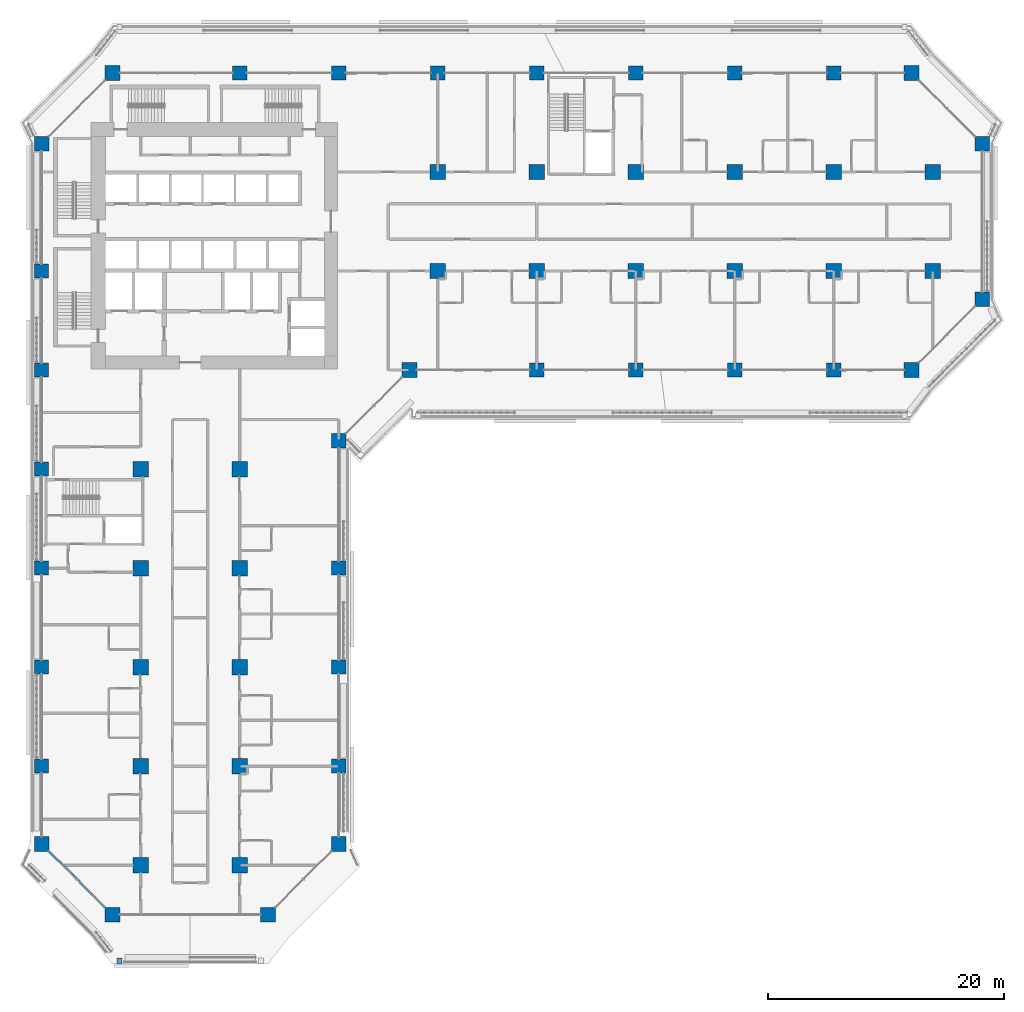
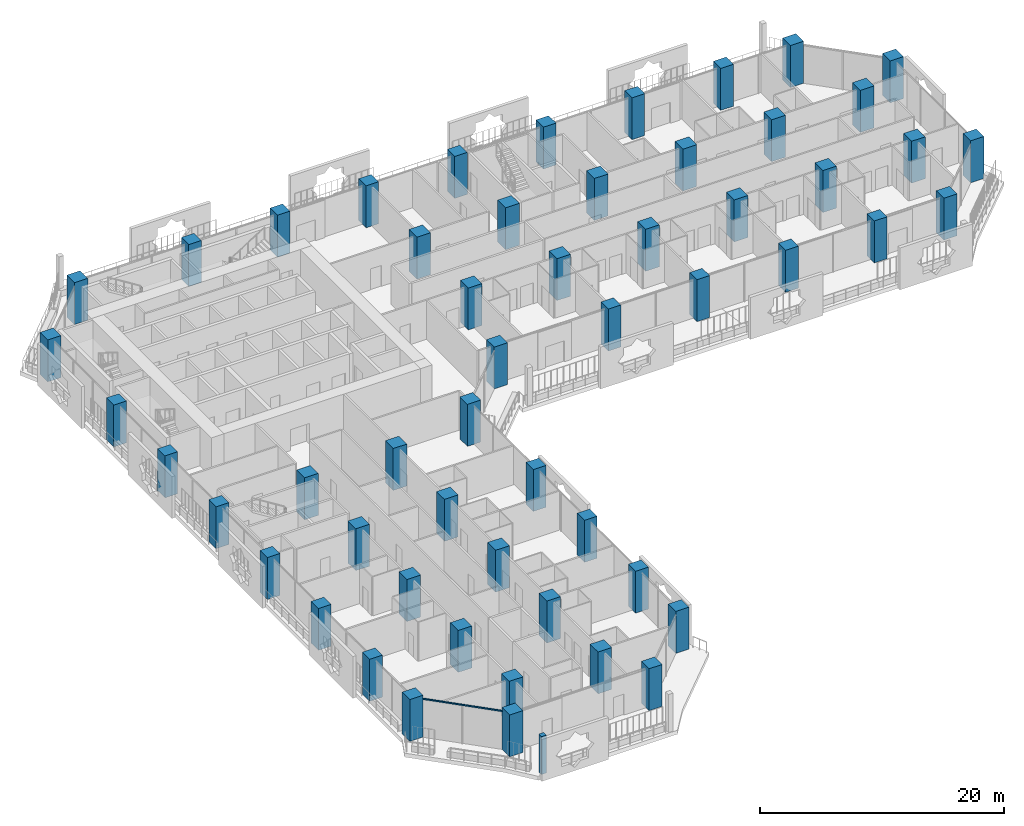
# One storey, part 1 of 29: 54 columns, 2 members, 2 elements without a shape of their own.
"""IFC4 building model written with IfcOpenShell, lengths in metres."""

from ifc_helpers import new_model, si_unit, direction, frame, origin, origin_2d, place, context, subcontext, project, spatial, rectangle, extrude, material, layer, layer_set, material_profile, profile_set, type_object, element, aggregate, save


model = new_model("IFC4")

# Units and contexts
model_context = context("Model", 3, precision=1e-05, world=origin(), true_north=direction((0.0, 1.0)))
body_context = subcontext(model_context, "Body", "Model", "MODEL_VIEW")
ifc_project = project(units=[si_unit("LENGTHUNIT", "METRE"), si_unit("AREAUNIT", "SQUARE_METRE"), si_unit("VOLUMEUNIT", "CUBIC_METRE"), si_unit("PLANEANGLEUNIT", "RADIAN"), si_unit("MASSUNIT", "GRAM", prefix="KILO")], contexts=[model_context])

# Site, building, storey
site_placement = place(None, origin())
site = spatial("IfcSite", under=ifc_project, at=site_placement, CompositionType="ELEMENT")
building_placement = place(site_placement, origin())
building = spatial("IfcBuilding", under=site, at=building_placement, Name="Kawkab Arch Medical Tower", CompositionType="ELEMENT")
storey_placement = place(building_placement, frame((0.0, 0.0, 60.199951171875)))
storey = spatial("IfcBuildingStorey", under=building, at=storey_placement, Name="L13", CompositionType="ELEMENT", Elevation=60.199951171875)

# Columns
ifc_material_1 = material(Name="Concrete C60/75", Category="concrete")
ifc_material_profile_1 = material_profile(ifc_material_1, rectangle(XDim=1.199951171875, YDim=1.199951171875, at=origin_2d()), Name="RC 1200x1200")
ifc_profile_set_1 = profile_set([ifc_material_profile_1], Name="Concrete C60/75")
column_type_1 = type_object("IfcColumnType", Name="RC 1200x1200 column C60/75", PredefinedType="COLUMN", material=ifc_profile_set_1)
for number, where, z_axis, x_axis, name in (
    (1, (16.800048828125, 0.0, 0.0), (0.0, 0.0, 1.0), (1.0, 0.0, 0.0), "Column RC 1200x1200"),
    (2, (25.199951171875, 0.0, 0.0), (0.0, 0.0, 1.0), (1.0, 0.0, 0.0), "Column RC 1200x1200"),
    (3, (33.60009765625, 0.0, 0.0), (0.0, 0.0, 1.0), (1.0, 0.0, 0.0), "Column RC 1200x1200"),
    (4, (42.0, 0.0, 0.0), (0.0, 0.0, 1.0), (1.0, 0.0, 0.0), "Column RC 1200x1200"),
    (5, (50.39990234375, 0.0, 0.0), (0.0, 0.0, 1.0), (1.0, 0.0, 0.0), "Column RC 1200x1200"),
    (6, (58.800048828125, 0.0, 0.0), (0.0, 0.0, 1.0), (1.0, 0.0, 0.0), "Column RC 1200x1200"),
    (7, (67.199951171875, 0.0, 0.0), (0.0, 0.0, 1.0), (1.0, 0.0, 0.0), "Column RC 1200x1200"),
    (8, (0.0, -16.800048828125, 0.0), (0.0, 0.0, 1.0), (1.0, 0.0, 0.0), "Column RC 1200x1200"),
    (9, (0.0, -25.199951171875, 0.0), (0.0, 0.0, 1.0), (1.0, 0.0, 0.0), "Column RC 1200x1200"),
    (10, (42.0, -25.199951171875, 0.0), (0.0, 0.0, 1.0), (1.0, 0.0, 0.0), "Column RC 1200x1200"),
    (11, (50.39990234375, -25.199951171875, 0.0), (0.0, 0.0, 1.0), (1.0, 0.0, 0.0), "Column RC 1200x1200"),
    (12, (58.800048828125, -25.199951171875, 0.0), (0.0, 0.0, 1.0), (1.0, 0.0, 0.0), "Column RC 1200x1200"),
    (13, (67.199951171875, -25.199951171875, 0.0), (0.0, 0.0, 1.0), (1.0, 0.0, 0.0), "Column RC 1200x1200"),
    (14, (0.0, -33.60009765625, 0.0), (0.0, 0.0, 1.0), (1.0, 0.0, 0.0), "Column RC 1200x1200"),
    (15, (0.0, -42.0, 0.0), (0.0, 0.0, 1.0), (1.0, 0.0, 0.0), "Column RC 1200x1200"),
    (16, (25.199951171875, -42.0, 0.0), (0.0, 0.0, 1.0), (1.0, 0.0, 0.0), "Column RC 1200x1200"),
    (17, (0.0, -50.39990234375, 0.0), (0.0, 0.0, 1.0), (1.0, 0.0, 0.0), "Column RC 1200x1200"),
    (18, (25.199951171875, -50.39990234375, 0.0), (0.0, 0.0, 1.0), (1.0, 0.0, 0.0), "Column RC 1200x1200"),
    (19, (0.0, -58.800048828125, 0.0), (0.0, 0.0, 1.0), (1.0, 0.0, 0.0), "Column RC 1200x1200"),
    (20, (25.199951171875, -58.800048828125, 0.0), (0.0, 0.0, 1.0), (1.0, 0.0, 0.0), "Column RC 1200x1200"),
):
    element("IfcColumn", number, at=place(storey_placement, frame(where, z_axis=z_axis, x_axis=x_axis)), inside=storey, type_object=column_type_1, Name=name, PredefinedType="COLUMN", context=body_context, shape_type="SweptSolid", body=[
        extrude(rectangle(XDim=1.199951171875, YDim=1.199951171875, at=origin_2d()), origin(), (0.0, 0.0, 1.0), 4.199951171875),
    ])
ifc_material_2 = material(Name="Concrete C60/75", Category="concrete")
ifc_material_profile_2 = material_profile(ifc_material_2, rectangle(XDim=1.25, YDim=1.25, at=origin_2d()), Name="RC 1250x1250")
ifc_profile_set_2 = profile_set([ifc_material_profile_2], Name="Concrete C60/75")
column_type_2 = type_object("IfcColumnType", Name="RC 1250x1250 column C60/75", PredefinedType="COLUMN", material=ifc_profile_set_2)
for number, where, z_axis, x_axis, name in (
    (21, (6.0, 0.0, 0.0), (0.0, 0.0, 1.0), (1.0, 0.0, 0.0), "Column RC 1250x1250"),
    (22, (73.800048828125, 0.0, 0.0), (0.0, 0.0, 1.0), (1.0, 0.0, 0.0), "Column RC 1250x1250"),
    (23, (0.0, -6.0, 0.0), (0.0, 0.0, 1.0), (1.0, 0.0, 0.0), "Column RC 1250x1250"),
    (24, (79.800048828125, -6.0, 0.0), (0.0, 0.0, 1.0), (1.0, 0.0, 0.0), "Column RC 1250x1250"),
    (25, (79.800048828125, -19.199951171875, 0.0), (0.0, 0.0, 1.0), (1.0, 0.0, 0.0), "Column RC 1250x1250"),
    (26, (31.199951171875, -25.199951171875, 0.0), (0.0, 0.0, 1.0), (1.0, 0.0, 0.0), "Column RC 1250x1250"),
    (27, (73.800048828125, -25.199951171875, 0.0), (0.0, 0.0, 1.0), (1.0, 0.0, 0.0), "Column RC 1250x1250"),
    (28, (25.199951171875, -31.199951171875, 0.0), (0.0, 0.0, 1.0), (1.0, 0.0, 0.0), "Column RC 1250x1250"),
    (29, (0.0, -65.39990234375, 0.0), (0.0, 0.0, 1.0), (1.0, 0.0, 0.0), "Column RC 1250x1250"),
    (30, (25.199951171875, -65.39990234375, 0.0), (0.0, 0.0, 1.0), (1.0, 0.0, 0.0), "Column RC 1250x1250"),
    (31, (6.0, -71.39990234375, 0.0), (0.0, 0.0, 1.0), (1.0, 0.0, 0.0), "Column RC 1250x1250"),
    (32, (19.199951171875, -71.39990234375, 0.0), (0.0, 0.0, 1.0), (1.0, 0.0, 0.0), "Column RC 1250x1250"),
):
    element("IfcColumn", number, at=place(storey_placement, frame(where, z_axis=z_axis, x_axis=x_axis)), inside=storey, type_object=column_type_2, Name=name, PredefinedType="COLUMN", context=body_context, shape_type="SweptSolid", body=[
        extrude(rectangle(XDim=1.25, YDim=1.25, at=origin_2d()), origin(), (0.0, 0.0, 1.0), 4.199951171875),
    ])
ifc_material_3 = material(Name="Concrete C60/75", Category="concrete")
ifc_material_profile_3 = material_profile(ifc_material_3, rectangle(XDim=1.300048828125, YDim=1.300048828125, at=origin_2d()), Name="RC 1300x1300")
ifc_profile_set_3 = profile_set([ifc_material_profile_3], Name="Concrete C60/75")
column_type_3 = type_object("IfcColumnType", Name="RC 1300x1300 column C60/75", PredefinedType="COLUMN", material=ifc_profile_set_3)
for number, where, z_axis, x_axis, name in (
    (33, (33.60009765625, -8.39990234375, 0.0), (0.0, 0.0, 1.0), (1.0, 0.0, 0.0), "Column RC 1300x1300"),
    (34, (42.0, -8.39990234375, 0.0), (0.0, 0.0, 1.0), (1.0, 0.0, 0.0), "Column RC 1300x1300"),
    (35, (50.39990234375, -8.39990234375, 0.0), (0.0, 0.0, 1.0), (1.0, 0.0, 0.0), "Column RC 1300x1300"),
    (36, (58.800048828125, -8.39990234375, 0.0), (0.0, 0.0, 1.0), (1.0, 0.0, 0.0), "Column RC 1300x1300"),
    (37, (67.199951171875, -8.39990234375, 0.0), (0.0, 0.0, 1.0), (1.0, 0.0, 0.0), "Column RC 1300x1300"),
    (38, (75.60009765625, -8.39990234375, 0.0), (0.0, 0.0, 1.0), (1.0, 0.0, 0.0), "Column RC 1300x1300"),
    (39, (33.60009765625, -16.800048828125, 0.0), (0.0, 0.0, 1.0), (1.0, 0.0, 0.0), "Column RC 1300x1300"),
    (40, (42.0, -16.800048828125, 0.0), (0.0, 0.0, 1.0), (1.0, 0.0, 0.0), "Column RC 1300x1300"),
    (41, (50.39990234375, -16.800048828125, 0.0), (0.0, 0.0, 1.0), (1.0, 0.0, 0.0), "Column RC 1300x1300"),
    (42, (58.800048828125, -16.800048828125, 0.0), (0.0, 0.0, 1.0), (1.0, 0.0, 0.0), "Column RC 1300x1300"),
    (43, (67.199951171875, -16.800048828125, 0.0), (0.0, 0.0, 1.0), (1.0, 0.0, 0.0), "Column RC 1300x1300"),
    (44, (75.60009765625, -16.800048828125, 0.0), (0.0, 0.0, 1.0), (1.0, 0.0, 0.0), "Column RC 1300x1300"),
    (45, (8.39990234375, -33.60009765625, 0.0), (0.0, 0.0, 1.0), (1.0, 0.0, 0.0), "Column RC 1300x1300"),
    (46, (16.800048828125, -33.60009765625, 0.0), (0.0, 0.0, 1.0), (1.0, 0.0, 0.0), "Column RC 1300x1300"),
    (47, (8.39990234375, -42.0, 0.0), (0.0, 0.0, 1.0), (1.0, 0.0, 0.0), "Column RC 1300x1300"),
    (48, (16.800048828125, -42.0, 0.0), (0.0, 0.0, 1.0), (1.0, 0.0, 0.0), "Column RC 1300x1300"),
    (49, (8.39990234375, -50.39990234375, 0.0), (0.0, 0.0, 1.0), (1.0, 0.0, 0.0), "Column RC 1300x1300"),
    (50, (16.800048828125, -50.39990234375, 0.0), (0.0, 0.0, 1.0), (1.0, 0.0, 0.0), "Column RC 1300x1300"),
    (51, (8.39990234375, -58.800048828125, 0.0), (0.0, 0.0, 1.0), (1.0, 0.0, 0.0), "Column RC 1300x1300"),
    (52, (16.800048828125, -58.800048828125, 0.0), (0.0, 0.0, 1.0), (1.0, 0.0, 0.0), "Column RC 1300x1300"),
    (53, (8.39990234375, -67.199951171875, 0.0), (0.0, 0.0, 1.0), (1.0, 0.0, 0.0), "Column RC 1300x1300"),
    (54, (16.800048828125, -67.199951171875, 0.0), (0.0, 0.0, 1.0), (1.0, 0.0, 0.0), "Column RC 1300x1300"),
):
    element("IfcColumn", number, at=place(storey_placement, frame(where, z_axis=z_axis, x_axis=x_axis)), inside=storey, type_object=column_type_3, Name=name, PredefinedType="COLUMN", context=body_context, shape_type="SweptSolid", body=[
        extrude(rectangle(XDim=1.300048828125, YDim=1.300048828125, at=origin_2d()), origin(), (0.0, 0.0, 1.0), 4.199951171875),
    ])

# Curtain wall, member
ifc_material_4 = material(Name="Bronze anodised aluminium curtain wall frame", Category="aluminium")
ifc_layer_1 = layer(ifc_material_4, 0.159912109375)
ifc_layer_set_1 = layer_set([ifc_layer_1], Name="Bronze anodised aluminium curtain wall frame")
curtain_wall_type_1 = type_object("IfcCurtainWallType", Name="CW2 chamfer curtain wall", PredefinedType="NOTDEFINED", material=ifc_layer_set_1)
placement = place(storey_placement, origin())
curtain_wall_1 = element("IfcCurtainWall", 55, at=placement, inside=storey, type_object=curtain_wall_type_1, Name="CW2 Chamfer curtain wall R02", PredefinedType="NOTDEFINED")
ifc_material_5 = material(Name="Bronze anodised aluminium curtain wall frame", Category="aluminium")
ifc_material_profile_4 = material_profile(ifc_material_5, rectangle(XDim=0.06005859375, YDim=0.139892578125, at=origin_2d()), Name="AL 60x140")
ifc_profile_set_4 = profile_set([ifc_material_profile_4], Name="Bronze anodised aluminium curtain wall frame")
member_type_1 = type_object("IfcMemberType", Name="CW2 transom 140 x 60", PredefinedType="USERDEFINED", material=ifc_profile_set_4)
member_1_placement = place(storey_placement, frame((0.625, -66.02490234375, 3.830078125), z_axis=(0.707106781187, -0.707106781187, 0.0), x_axis=(0.707106781187, 0.707106781187, 0.0)))
member_1 = element("IfcMember", 56, at=member_1_placement, type_object=member_type_1, Name="CW2 transom 1", ObjectType="TRANSOM", PredefinedType="USERDEFINED", context=body_context, shape_type="SweptSolid", body=[
    extrude(rectangle(XDim=0.06005859375, YDim=0.139892578125, at=origin_2d()), origin(), (0.0, 0.0, 1.0), 6.717529296875),
])
aggregate(curtain_wall_1, [member_1])

ifc_material_6 = material(Name="Bronze anodised aluminium climber frame, planted", Category="aluminium")
ifc_layer_2 = layer(ifc_material_6, 0.449951171875)
ifc_layer_set_2 = layer_set([ifc_layer_2], Name="Bronze anodised aluminium climber frame, planted")
curtain_wall_type_2 = type_object("IfcCurtainWallType", Name="Planted climber frame", PredefinedType="NOTDEFINED", material=ifc_layer_set_2)
curtain_wall_2 = element("IfcCurtainWall", 57, at=placement, inside=storey, type_object=curtain_wall_type_2, Name="Planted climber frame L13", PredefinedType="NOTDEFINED")
ifc_material_7 = material(Name="Bronze anodised aluminium climber frame, planted", Category="aluminium")
ifc_material_profile_5 = material_profile(ifc_material_7, rectangle(XDim=0.449951171875, YDim=0.449951171875, at=origin_2d()), Name="Post 450x450")
ifc_profile_set_5 = profile_set([ifc_material_profile_5], Name="Bronze anodised aluminium climber frame, planted")
member_type_2 = type_object("IfcMemberType", Name="Planted climber post 450 x 450", PredefinedType="MULLION", material=ifc_profile_set_5)
member_2_placement = place(storey_placement, frame((6.596923828125, -75.300048828125, 0.0), z_axis=(0.0, 0.0, 1.0), x_axis=(1.0, 0.0, 0.0)))
member_2 = element("IfcMember", 58, at=member_2_placement, type_object=member_type_2, Name="Planted climber post L13.LOG-01-01.2", PredefinedType="MULLION", context=body_context, shape_type="SweptSolid", body=[
    extrude(rectangle(XDim=0.449951171875, YDim=0.449951171875, at=origin_2d()), origin(), (0.0, 0.0, 1.0), 3.800048828125),
])
aggregate(curtain_wall_2, [member_2])

save(model, "model.ifc")
